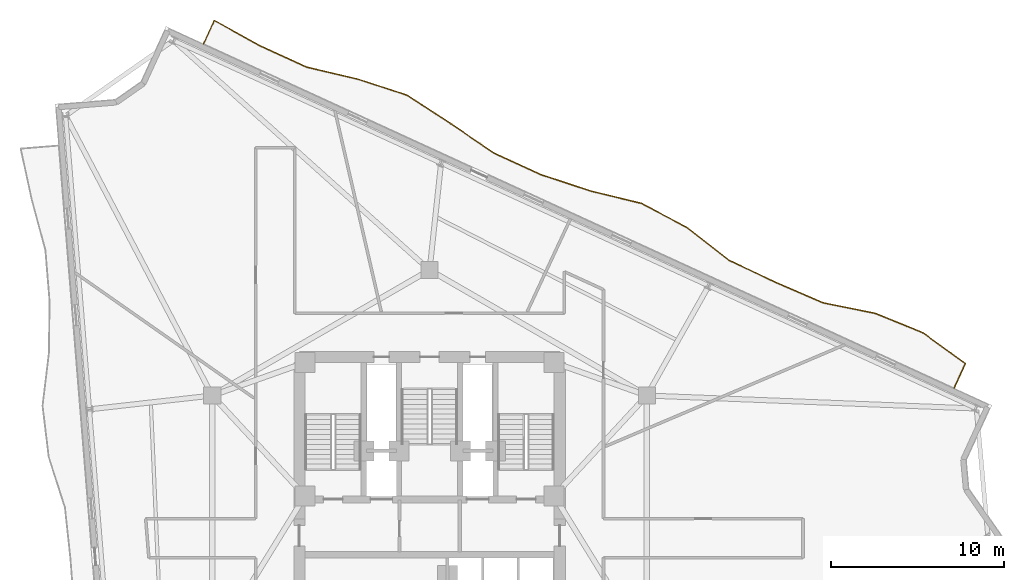
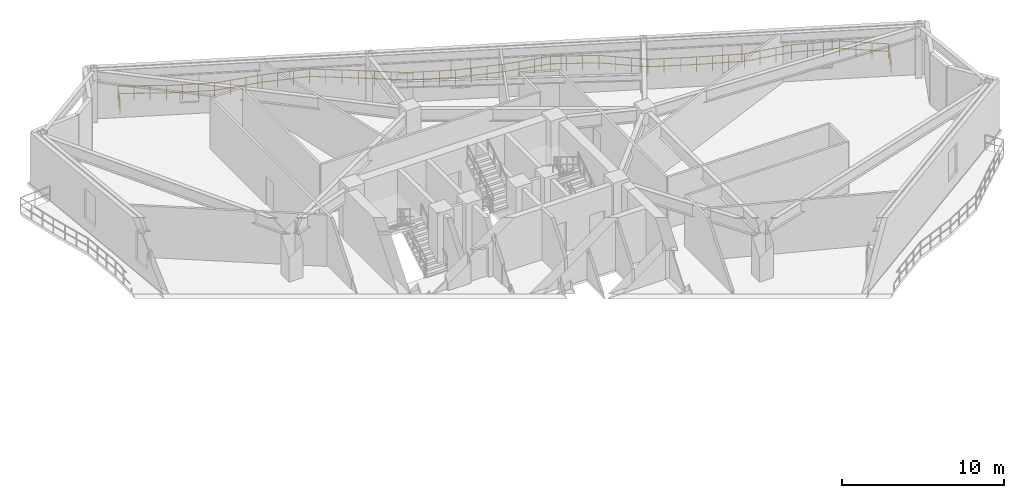
# One storey, part 11 of 11: 1 railing.
"""IFC4 building model written with IfcOpenShell, lengths in metres."""

from ifc_helpers import new_model, si_unit, direction, frame, origin, origin_2d, place, context, subcontext, project, spatial, rectangle, extrude, material, type_object, element, save


model = new_model("IFC4")

# Units and contexts
model_context = context("Model", 3, precision=1e-05, world=origin(), true_north=direction((0.0, 1.0)))
body_context = subcontext(model_context, "Body", "Model", "MODEL_VIEW")
ifc_project = project(units=[si_unit("LENGTHUNIT", "METRE"), si_unit("AREAUNIT", "SQUARE_METRE"), si_unit("VOLUMEUNIT", "CUBIC_METRE"), si_unit("PLANEANGLEUNIT", "RADIAN"), si_unit("MASSUNIT", "GRAM", prefix="KILO")], contexts=[model_context])

# Site, building, storey
site_placement = place(None, origin())
site = spatial("IfcSite", under=ifc_project, at=site_placement, CompositionType="ELEMENT")
building_placement = place(site_placement, origin())
building = spatial("IfcBuilding", under=site, at=building_placement, Name="Apsidion Concourse Tower", CompositionType="ELEMENT")
storey_placement = place(building_placement, frame((0.0, 0.0, 214.699951171875)))
storey = spatial("IfcBuildingStorey", under=building, at=storey_placement, Name="L50", CompositionType="ELEMENT", Elevation=214.699951171875)

# Railing
ifc_material = material(Name="Brushed stainless steel 316", Category="steel")
railing_type = type_object("IfcRailingType", Name="RL-BAL-1120", PredefinedType="BALUSTRADE", material=ifc_material)
railing_placement = place(storey_placement, frame((-13.060546875, 27.586181640625, 0.0)))
element("IfcRailing", 1, at=railing_placement, inside=storey, type_object=railing_type, Name="L50 Face 3 Rippling Balcony Balustrade", PredefinedType="BALUSTRADE", context=body_context, shape_type="SweptSolid", body=[
    extrude(rectangle(XDim=0.048095703125, YDim=0.048095703125, at=origin_2d()), frame((0.0, 0.0, 1.09619140625), z_axis=(0.416955569031, 0.908926869145, 0.0), x_axis=(-0.908926869145, 0.416955569031, 0.0)), (0.0, 0.0, 1.0), 1.480712890625),
    extrude(rectangle(XDim=0.048095703125, YDim=0.048095703125, at=origin_2d()), frame((0.0, 0.0, 0.5361328125), z_axis=(0.416955569031, 0.908926869145, 0.0), x_axis=(-0.908926869145, 0.416955569031, 0.0)), (0.0, 0.0, 1.0), 1.480712890625),
    extrude(rectangle(XDim=0.048095703125, YDim=0.048095703125, at=origin_2d()), frame((0.617431640625, 1.345947265625, 1.09619140625), z_axis=(0.874091834776, -0.48576070691, 0.0), x_axis=(0.48576070691, 0.874091834776, 0.0)), (0.0, 0.0, 1.0), 2.991943359375),
    extrude(rectangle(XDim=0.048095703125, YDim=0.048095703125, at=origin_2d()), frame((0.617431640625, 1.345947265625, 0.5361328125), z_axis=(0.874091834776, -0.48576070691, 0.0), x_axis=(0.48576070691, 0.874091834776, 0.0)), (0.0, 0.0, 1.0), 2.991943359375),
    extrude(rectangle(XDim=0.048095703125, YDim=0.048095703125, at=origin_2d()), frame((3.232666015625, -0.107421875, 1.09619140625), z_axis=(0.908934312968, -0.416939341761, 0.0), x_axis=(0.416939341761, 0.908934312968, 0.0)), (0.0, 0.0, 1.0), 2.98291015625),
    extrude(rectangle(XDim=0.048095703125, YDim=0.048095703125, at=origin_2d()), frame((3.232666015625, -0.107421875, 0.5361328125), z_axis=(0.908934312968, -0.416939341761, 0.0), x_axis=(0.416939341761, 0.908934312968, 0.0)), (0.0, 0.0, 1.0), 2.98291015625),
    extrude(rectangle(XDim=0.048095703125, YDim=0.048095703125, at=origin_2d()), frame((5.94384765625, -1.35107421875, 1.09619140625), z_axis=(0.973293907521, -0.22956256137, 0.0), x_axis=(0.22956256137, 0.973293907521, 0.0)), (0.0, 0.0, 1.0), 3.042724609375),
    extrude(rectangle(XDim=0.048095703125, YDim=0.048095703125, at=origin_2d()), frame((5.94384765625, -1.35107421875, 0.5361328125), z_axis=(0.973293907521, -0.22956256137, 0.0), x_axis=(0.22956256137, 0.973293907521, 0.0)), (0.0, 0.0, 1.0), 3.042724609375),
    extrude(rectangle(XDim=0.048095703125, YDim=0.048095703125, at=origin_2d()), frame((8.9052734375, -2.049560546875, 1.09619140625), z_axis=(0.951117669662, -0.30882872026, 0.0), x_axis=(0.30882872026, 0.951117669662, 0.0)), (0.0, 0.0, 1.0), 3.003173828125),
    extrude(rectangle(XDim=0.048095703125, YDim=0.048095703125, at=origin_2d()), frame((8.9052734375, -2.049560546875, 0.5361328125), z_axis=(0.951117669662, -0.30882872026, 0.0), x_axis=(0.30882872026, 0.951117669662, 0.0)), (0.0, 0.0, 1.0), 3.003173828125),
    extrude(rectangle(XDim=0.048095703125, YDim=0.048095703125, at=origin_2d()), frame((11.76171875, -2.97705078125, 1.09619140625), z_axis=(0.837649247359, -0.546208511833, 0.0), x_axis=(0.546208511833, 0.837649247359, 0.0)), (0.0, 0.0, 1.0), 3.015625),
    extrude(rectangle(XDim=0.048095703125, YDim=0.048095703125, at=origin_2d()), frame((11.76171875, -2.97705078125, 0.5361328125), z_axis=(0.837649247359, -0.546208511833, 0.0), x_axis=(0.546208511833, 0.837649247359, 0.0)), (0.0, 0.0, 1.0), 3.015625),
    extrude(rectangle(XDim=0.048095703125, YDim=0.048095703125, at=origin_2d()), frame((14.287841796875, -4.624267578125, 1.09619140625), z_axis=(0.826761360133, -0.562552800536, 0.0), x_axis=(0.562552800536, 0.826761360133, 0.0)), (0.0, 0.0, 1.0), 3.025390625),
    extrude(rectangle(XDim=0.048095703125, YDim=0.048095703125, at=origin_2d()), frame((14.287841796875, -4.624267578125, 0.5361328125), z_axis=(0.826761360133, -0.562552800536, 0.0), x_axis=(0.562552800536, 0.826761360133, 0.0)), (0.0, 0.0, 1.0), 3.025390625),
    extrude(rectangle(XDim=0.048095703125, YDim=0.048095703125, at=origin_2d()), frame((16.7890625, -6.326171875, 1.09619140625), z_axis=(0.9089485399, -0.416908325432, 0.0), x_axis=(0.416908325432, 0.9089485399, 0.0)), (0.0, 0.0, 1.0), 2.983154296875),
    extrude(rectangle(XDim=0.048095703125, YDim=0.048095703125, at=origin_2d()), frame((16.7890625, -6.326171875, 0.5361328125), z_axis=(0.9089485399, -0.416908325432, 0.0), x_axis=(0.416908325432, 0.9089485399, 0.0)), (0.0, 0.0, 1.0), 2.983154296875),
    extrude(rectangle(XDim=0.048095703125, YDim=0.048095703125, at=origin_2d()), frame((19.50048828125, -7.56982421875, 1.09619140625), z_axis=(0.949759514897, -0.312980612599, 0.0), x_axis=(0.312980612599, 0.949759514897, 0.0)), (0.0, 0.0, 1.0), 3.001708984375),
    extrude(rectangle(XDim=0.048095703125, YDim=0.048095703125, at=origin_2d()), frame((19.50048828125, -7.56982421875, 0.5361328125), z_axis=(0.949759514897, -0.312980612599, 0.0), x_axis=(0.312980612599, 0.949759514897, 0.0)), (0.0, 0.0, 1.0), 3.001708984375),
    extrude(rectangle(XDim=0.048095703125, YDim=0.048095703125, at=origin_2d()), frame((22.351318359375, -8.50927734375, 1.09619140625), z_axis=(0.971557773958, -0.236802643276, 0.0), x_axis=(0.236802643276, 0.971557773958, 0.0)), (0.0, 0.0, 1.0), 3.038330078125),
    extrude(rectangle(XDim=0.048095703125, YDim=0.048095703125, at=origin_2d()), frame((22.351318359375, -8.50927734375, 0.5361328125), z_axis=(0.971557773958, -0.236802643276, 0.0), x_axis=(0.236802643276, 0.971557773958, 0.0)), (0.0, 0.0, 1.0), 3.038330078125),
    extrude(rectangle(XDim=0.048095703125, YDim=0.048095703125, at=origin_2d()), frame((25.30322265625, -9.228759765625, 1.09619140625), z_axis=(0.883620904983, -0.468203050264, 0.0), x_axis=(0.468203050264, 0.883620904983, 0.0)), (0.0, 0.0, 1.0), 2.98779296875),
    extrude(rectangle(XDim=0.048095703125, YDim=0.048095703125, at=origin_2d()), frame((25.30322265625, -9.228759765625, 0.5361328125), z_axis=(0.883620904983, -0.468203050264, 0.0), x_axis=(0.468203050264, 0.883620904983, 0.0)), (0.0, 0.0, 1.0), 2.98779296875),
    extrude(rectangle(XDim=0.048095703125, YDim=0.048095703125, at=origin_2d()), frame((27.943359375, -10.627685546875, 1.09619140625), z_axis=(0.787780472432, -0.615956108221, 0.0), x_axis=(0.615956108221, 0.787780472432, 0.0)), (0.0, 0.0, 1.0), 3.066162109375),
    extrude(rectangle(XDim=0.048095703125, YDim=0.048095703125, at=origin_2d()), frame((27.943359375, -10.627685546875, 0.5361328125), z_axis=(0.787780472432, -0.615956108221, 0.0), x_axis=(0.615956108221, 0.787780472432, 0.0)), (0.0, 0.0, 1.0), 3.066162109375),
    extrude(rectangle(XDim=0.048095703125, YDim=0.048095703125, at=origin_2d()), frame((30.35888671875, -12.516357421875, 1.09619140625), z_axis=(0.904501290247, -0.426470885222, 0.0), x_axis=(0.426470885222, 0.904501290247, 0.0)), (0.0, 0.0, 1.0), 2.983154296875),
    extrude(rectangle(XDim=0.048095703125, YDim=0.048095703125, at=origin_2d()), frame((30.35888671875, -12.516357421875, 0.5361328125), z_axis=(0.904501290247, -0.426470885222, 0.0), x_axis=(0.426470885222, 0.904501290247, 0.0)), (0.0, 0.0, 1.0), 2.983154296875),
    extrude(rectangle(XDim=0.048095703125, YDim=0.048095703125, at=origin_2d()), frame((33.05712890625, -13.78857421875, 1.09619140625), z_axis=(0.917567565448, -0.397579882336, 0.0), x_axis=(0.397579882336, 0.917567565448, 0.0)), (0.0, 0.0, 1.0), 2.983642578125),
    extrude(rectangle(XDim=0.048095703125, YDim=0.048095703125, at=origin_2d()), frame((33.05712890625, -13.78857421875, 0.5361328125), z_axis=(0.917567565448, -0.397579882336, 0.0), x_axis=(0.397579882336, 0.917567565448, 0.0)), (0.0, 0.0, 1.0), 2.983642578125),
    extrude(rectangle(XDim=0.048095703125, YDim=0.048095703125, at=origin_2d()), frame((35.794921875, -14.974853515625, 1.09619140625), z_axis=(0.980303935439, -0.197494795283, 0.0), x_axis=(0.197494795283, 0.980303935439, 0.0)), (0.0, 0.0, 1.0), 3.064453125),
    extrude(rectangle(XDim=0.048095703125, YDim=0.048095703125, at=origin_2d()), frame((35.794921875, -14.974853515625, 0.5361328125), z_axis=(0.980303935439, -0.197494795283, 0.0), x_axis=(0.197494795283, 0.980303935439, 0.0)), (0.0, 0.0, 1.0), 3.064453125),
    extrude(rectangle(XDim=0.048095703125, YDim=0.048095703125, at=origin_2d()), frame((38.799072265625, -15.580078125, 1.09619140625), z_axis=(0.926609953332, -0.376023927943, 0.0), x_axis=(0.376023927943, 0.926609953332, 0.0)), (0.0, 0.0, 1.0), 2.986083984375),
    extrude(rectangle(XDim=0.048095703125, YDim=0.048095703125, at=origin_2d()), frame((38.799072265625, -15.580078125, 0.5361328125), z_axis=(0.926609953332, -0.376023927943, 0.0), x_axis=(0.376023927943, 0.926609953332, 0.0)), (0.0, 0.0, 1.0), 2.986083984375),
    extrude(rectangle(XDim=0.048095703125, YDim=0.048095703125, at=origin_2d()), frame((41.56591796875, -16.702880859375, 1.09619140625), z_axis=(0.80908293722, -0.587694479044, 0.0), x_axis=(0.587694479044, 0.80908293722, 0.0)), (0.0, 0.0, 1.0), 3.04248046875),
    extrude(rectangle(XDim=0.048095703125, YDim=0.048095703125, at=origin_2d()), frame((41.56591796875, -16.702880859375, 0.5361328125), z_axis=(0.80908293722, -0.587694479044, 0.0), x_axis=(0.587694479044, 0.80908293722, 0.0)), (0.0, 0.0, 1.0), 3.04248046875),
    extrude(rectangle(XDim=0.048095703125, YDim=0.048095703125, at=origin_2d()), frame((44.027587890625, -18.490966796875, 1.09619140625), z_axis=(-0.416969283994, -0.908920577501, 0.0), x_axis=(0.908920577501, -0.416969283994, 0.0)), (0.0, 0.0, 1.0), 1.5498046875),
    extrude(rectangle(XDim=0.048095703125, YDim=0.048095703125, at=origin_2d()), frame((44.027587890625, -18.490966796875, 0.5361328125), z_axis=(-0.416969283994, -0.908920577501, 0.0), x_axis=(0.908920577501, -0.416969283994, 0.0)), (0.0, 0.0, 1.0), 1.5498046875),
    extrude(rectangle(XDim=0.0419921875, YDim=0.0419921875, at=origin_2d()), origin(), (0.0, 0.0, 1.0), 1.072021484375),
    extrude(rectangle(XDim=0.0419921875, YDim=0.0419921875, at=origin_2d()), frame((0.30859375, 0.6728515625, 0.0)), (0.0, 0.0, 1.0), 1.072021484375),
    extrude(rectangle(XDim=0.0419921875, YDim=0.0419921875, at=origin_2d()), frame((0.617431640625, 1.345947265625, 0.0)), (0.0, 0.0, 1.0), 1.072021484375),
    extrude(rectangle(XDim=0.0419921875, YDim=0.0419921875, at=origin_2d()), frame((1.4892578125, 0.861572265625, 0.0)), (0.0, 0.0, 1.0), 1.072021484375),
    extrude(rectangle(XDim=0.0419921875, YDim=0.0419921875, at=origin_2d()), frame((2.36083984375, 0.376953125, 0.0)), (0.0, 0.0, 1.0), 1.072021484375),
    extrude(rectangle(XDim=0.0419921875, YDim=0.0419921875, at=origin_2d()), frame((3.232666015625, -0.107421875, 0.0)), (0.0, 0.0, 1.0), 1.072021484375),
    extrude(rectangle(XDim=0.0419921875, YDim=0.0419921875, at=origin_2d()), frame((4.136474609375, -0.52197265625, 0.0)), (0.0, 0.0, 1.0), 1.072021484375),
    extrude(rectangle(XDim=0.0419921875, YDim=0.0419921875, at=origin_2d()), frame((5.0400390625, -0.9365234375, 0.0)), (0.0, 0.0, 1.0), 1.072021484375),
    extrude(rectangle(XDim=0.0419921875, YDim=0.0419921875, at=origin_2d()), frame((5.94384765625, -1.35107421875, 0.0)), (0.0, 0.0, 1.0), 1.072021484375),
    extrude(rectangle(XDim=0.0419921875, YDim=0.0419921875, at=origin_2d()), frame((6.930908203125, -1.583984375, 0.0)), (0.0, 0.0, 1.0), 1.072021484375),
    extrude(rectangle(XDim=0.0419921875, YDim=0.0419921875, at=origin_2d()), frame((7.918212890625, -1.816650390625, 0.0)), (0.0, 0.0, 1.0), 1.072021484375),
    extrude(rectangle(XDim=0.0419921875, YDim=0.0419921875, at=origin_2d()), frame((8.9052734375, -2.049560546875, 0.0)), (0.0, 0.0, 1.0), 1.072021484375),
    extrude(rectangle(XDim=0.0419921875, YDim=0.0419921875, at=origin_2d()), frame((9.857421875, -2.358642578125, 0.0)), (0.0, 0.0, 1.0), 1.072021484375),
    extrude(rectangle(XDim=0.0419921875, YDim=0.0419921875, at=origin_2d()), frame((10.8095703125, -2.66796875, 0.0)), (0.0, 0.0, 1.0), 1.072021484375),
    extrude(rectangle(XDim=0.0419921875, YDim=0.0419921875, at=origin_2d()), frame((11.76171875, -2.97705078125, 0.0)), (0.0, 0.0, 1.0), 1.072021484375),
    extrude(rectangle(XDim=0.0419921875, YDim=0.0419921875, at=origin_2d()), frame((12.603759765625, -3.526123046875, 0.0)), (0.0, 0.0, 1.0), 1.072021484375),
    extrude(rectangle(XDim=0.0419921875, YDim=0.0419921875, at=origin_2d()), frame((13.44580078125, -4.0751953125, 0.0)), (0.0, 0.0, 1.0), 1.072021484375),
    extrude(rectangle(XDim=0.0419921875, YDim=0.0419921875, at=origin_2d()), frame((14.287841796875, -4.624267578125, 0.0)), (0.0, 0.0, 1.0), 1.072021484375),
    extrude(rectangle(XDim=0.0419921875, YDim=0.0419921875, at=origin_2d()), frame((15.12158203125, -5.191650390625, 0.0)), (0.0, 0.0, 1.0), 1.072021484375),
    extrude(rectangle(XDim=0.0419921875, YDim=0.0419921875, at=origin_2d()), frame((15.955322265625, -5.7587890625, 0.0)), (0.0, 0.0, 1.0), 1.072021484375),
    extrude(rectangle(XDim=0.0419921875, YDim=0.0419921875, at=origin_2d()), frame((16.7890625, -6.326171875, 0.0)), (0.0, 0.0, 1.0), 1.072021484375),
    extrude(rectangle(XDim=0.0419921875, YDim=0.0419921875, at=origin_2d()), frame((17.69287109375, -6.74072265625, 0.0)), (0.0, 0.0, 1.0), 1.072021484375),
    extrude(rectangle(XDim=0.0419921875, YDim=0.0419921875, at=origin_2d()), frame((18.5966796875, -7.1552734375, 0.0)), (0.0, 0.0, 1.0), 1.072021484375),
    extrude(rectangle(XDim=0.0419921875, YDim=0.0419921875, at=origin_2d()), frame((19.50048828125, -7.56982421875, 0.0)), (0.0, 0.0, 1.0), 1.072021484375),
    extrude(rectangle(XDim=0.0419921875, YDim=0.0419921875, at=origin_2d()), frame((20.45068359375, -7.883056640625, 0.0)), (0.0, 0.0, 1.0), 1.072021484375),
    extrude(rectangle(XDim=0.0419921875, YDim=0.0419921875, at=origin_2d()), frame((21.401123046875, -8.196044921875, 0.0)), (0.0, 0.0, 1.0), 1.072021484375),
    extrude(rectangle(XDim=0.0419921875, YDim=0.0419921875, at=origin_2d()), frame((22.351318359375, -8.50927734375, 0.0)), (0.0, 0.0, 1.0), 1.072021484375),
    extrude(rectangle(XDim=0.0419921875, YDim=0.0419921875, at=origin_2d()), frame((23.335205078125, -8.7490234375, 0.0)), (0.0, 0.0, 1.0), 1.072021484375),
    extrude(rectangle(XDim=0.0419921875, YDim=0.0419921875, at=origin_2d()), frame((24.3193359375, -8.989013671875, 0.0)), (0.0, 0.0, 1.0), 1.072021484375),
    extrude(rectangle(XDim=0.0419921875, YDim=0.0419921875, at=origin_2d()), frame((25.30322265625, -9.228759765625, 0.0)), (0.0, 0.0, 1.0), 1.072021484375),
    extrude(rectangle(XDim=0.0419921875, YDim=0.0419921875, at=origin_2d()), frame((26.183349609375, -9.695068359375, 0.0)), (0.0, 0.0, 1.0), 1.072021484375),
    extrude(rectangle(XDim=0.0419921875, YDim=0.0419921875, at=origin_2d()), frame((27.063232421875, -10.161376953125, 0.0)), (0.0, 0.0, 1.0), 1.072021484375),
    extrude(rectangle(XDim=0.0419921875, YDim=0.0419921875, at=origin_2d()), frame((27.943359375, -10.627685546875, 0.0)), (0.0, 0.0, 1.0), 1.072021484375),
    extrude(rectangle(XDim=0.0419921875, YDim=0.0419921875, at=origin_2d()), frame((28.74853515625, -11.25732421875, 0.0)), (0.0, 0.0, 1.0), 1.072021484375),
    extrude(rectangle(XDim=0.0419921875, YDim=0.0419921875, at=origin_2d()), frame((29.5537109375, -11.88671875, 0.0)), (0.0, 0.0, 1.0), 1.072021484375),
    extrude(rectangle(XDim=0.0419921875, YDim=0.0419921875, at=origin_2d()), frame((30.35888671875, -12.516357421875, 0.0)), (0.0, 0.0, 1.0), 1.072021484375),
    extrude(rectangle(XDim=0.0419921875, YDim=0.0419921875, at=origin_2d()), frame((31.25830078125, -12.9404296875, 0.0)), (0.0, 0.0, 1.0), 1.072021484375),
    extrude(rectangle(XDim=0.0419921875, YDim=0.0419921875, at=origin_2d()), frame((32.15771484375, -13.364501953125, 0.0)), (0.0, 0.0, 1.0), 1.072021484375),
    extrude(rectangle(XDim=0.0419921875, YDim=0.0419921875, at=origin_2d()), frame((33.05712890625, -13.78857421875, 0.0)), (0.0, 0.0, 1.0), 1.072021484375),
    extrude(rectangle(XDim=0.0419921875, YDim=0.0419921875, at=origin_2d()), frame((33.9697265625, -14.18408203125, 0.0)), (0.0, 0.0, 1.0), 1.072021484375),
    extrude(rectangle(XDim=0.0419921875, YDim=0.0419921875, at=origin_2d()), frame((34.88232421875, -14.579345703125, 0.0)), (0.0, 0.0, 1.0), 1.072021484375),
    extrude(rectangle(XDim=0.0419921875, YDim=0.0419921875, at=origin_2d()), frame((35.794921875, -14.974853515625, 0.0)), (0.0, 0.0, 1.0), 1.072021484375),
    extrude(rectangle(XDim=0.0419921875, YDim=0.0419921875, at=origin_2d()), frame((36.79638671875, -15.176513671875, 0.0)), (0.0, 0.0, 1.0), 1.072021484375),
    extrude(rectangle(XDim=0.0419921875, YDim=0.0419921875, at=origin_2d()), frame((37.797607421875, -15.37841796875, 0.0)), (0.0, 0.0, 1.0), 1.072021484375),
    extrude(rectangle(XDim=0.0419921875, YDim=0.0419921875, at=origin_2d()), frame((38.799072265625, -15.580078125, 0.0)), (0.0, 0.0, 1.0), 1.072021484375),
    extrude(rectangle(XDim=0.0419921875, YDim=0.0419921875, at=origin_2d()), frame((39.721435546875, -15.954345703125, 0.0)), (0.0, 0.0, 1.0), 1.072021484375),
    extrude(rectangle(XDim=0.0419921875, YDim=0.0419921875, at=origin_2d()), frame((40.6435546875, -16.32861328125, 0.0)), (0.0, 0.0, 1.0), 1.072021484375),
    extrude(rectangle(XDim=0.0419921875, YDim=0.0419921875, at=origin_2d()), frame((41.56591796875, -16.702880859375, 0.0)), (0.0, 0.0, 1.0), 1.072021484375),
    extrude(rectangle(XDim=0.0419921875, YDim=0.0419921875, at=origin_2d()), frame((42.386474609375, -17.298828125, 0.0)), (0.0, 0.0, 1.0), 1.072021484375),
    extrude(rectangle(XDim=0.0419921875, YDim=0.0419921875, at=origin_2d()), frame((43.20703125, -17.89501953125, 0.0)), (0.0, 0.0, 1.0), 1.072021484375),
    extrude(rectangle(XDim=0.0419921875, YDim=0.0419921875, at=origin_2d()), frame((44.027587890625, -18.490966796875, 0.0)), (0.0, 0.0, 1.0), 1.072021484375),
    extrude(rectangle(XDim=0.0419921875, YDim=0.0419921875, at=origin_2d()), frame((43.70458984375, -19.1953125, 0.0)), (0.0, 0.0, 1.0), 1.072021484375),
    extrude(rectangle(XDim=0.0419921875, YDim=0.0419921875, at=origin_2d()), frame((43.38134765625, -19.899658203125, 0.0)), (0.0, 0.0, 1.0), 1.072021484375),
])

save(model, "model.ifc")
